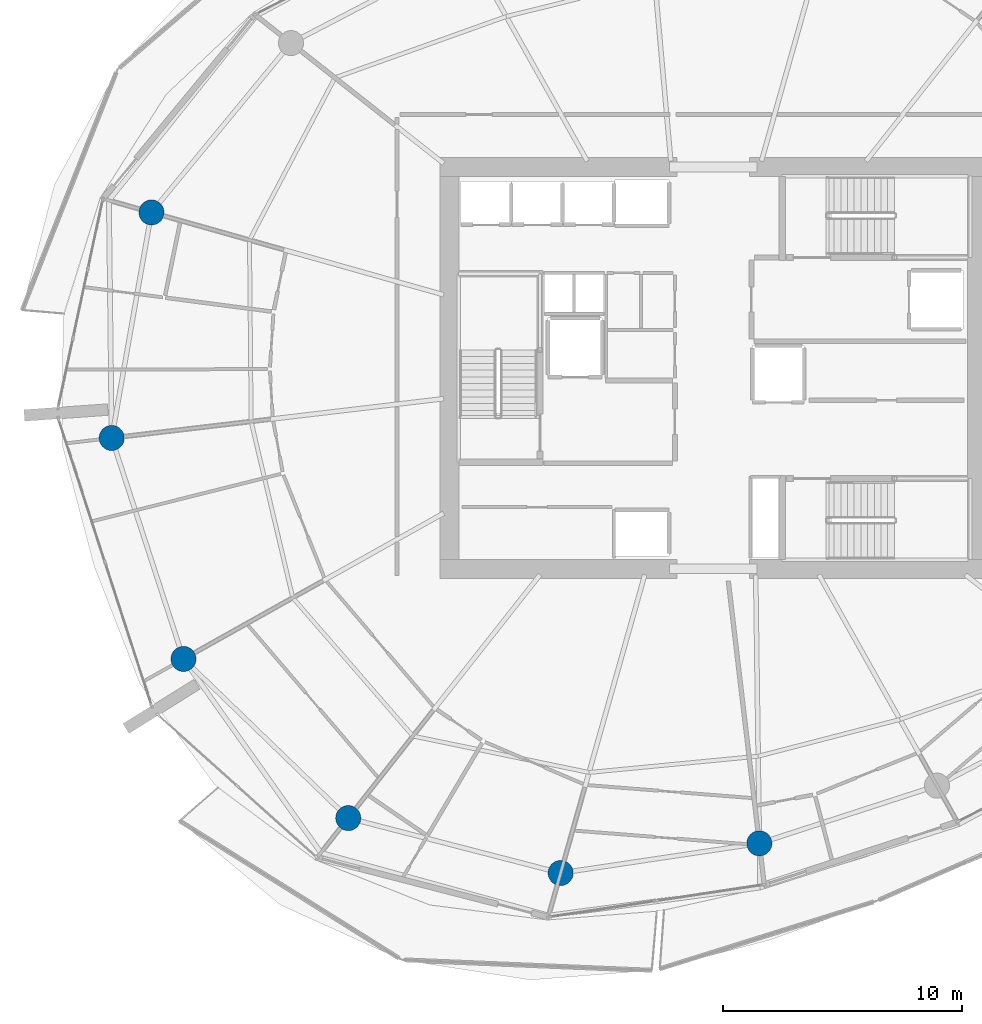
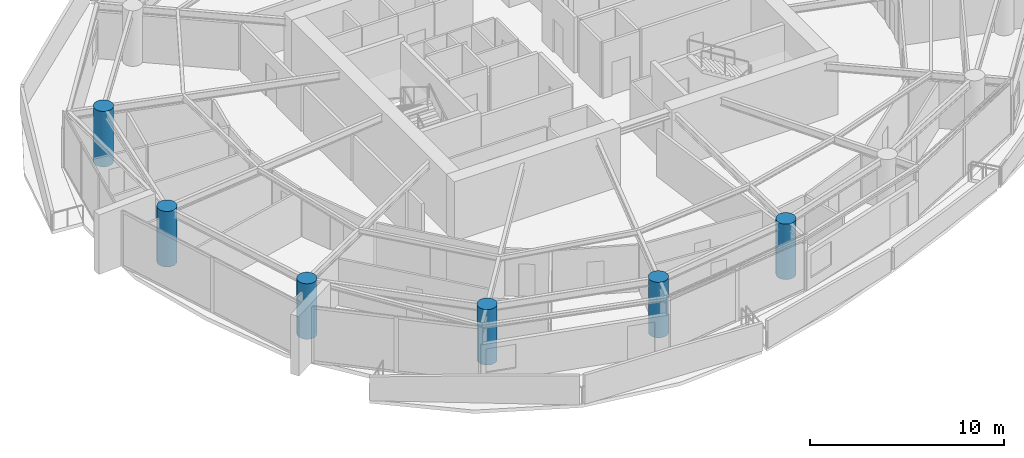
# One storey, part 1 of 20: 6 columns.
"""IFC4 building model written with IfcOpenShell, lengths in metres."""

from ifc_helpers import new_model, si_unit, direction, frame, origin, origin_2d, place, context, subcontext, project, spatial, circle, extrude, material, material_profile, profile_set, type_object, element, save


model = new_model("IFC4")

# Units and contexts
model_context = context("Model", 3, precision=1e-05, world=origin(), true_north=direction((0.0, 1.0)))
body_context = subcontext(model_context, "Body", "Model", "MODEL_VIEW")
ifc_project = project(units=[si_unit("LENGTHUNIT", "METRE"), si_unit("AREAUNIT", "SQUARE_METRE"), si_unit("VOLUMEUNIT", "CUBIC_METRE"), si_unit("PLANEANGLEUNIT", "RADIAN"), si_unit("MASSUNIT", "GRAM", prefix="KILO")], contexts=[model_context])

# Site, building, storey
site_placement = place(None, origin())
site = spatial("IfcSite", under=ifc_project, at=site_placement, CompositionType="ELEMENT")
building_placement = place(site_placement, origin())
building = spatial("IfcBuilding", under=site, at=building_placement, Name="Kazma Halo Residences", CompositionType="ELEMENT")
storey_placement = place(building_placement, frame((0.0, 0.0, 146.550048828125)))
storey = spatial("IfcBuildingStorey", under=building, at=storey_placement, Name="L36", CompositionType="ELEMENT", Elevation=146.550048828125)

# Columns
ifc_material = material(Name="Concrete C80/95", Category="concrete")
ifc_material_profile = material_profile(ifc_material, circle(Radius=0.52490234375, at=origin_2d()), Name="CIRC1050")
ifc_profile_set = profile_set([ifc_material_profile], Name="Concrete C80/95")
column_type = type_object("IfcColumnType", Name="COL-PERIM-1050", PredefinedType="COLUMN", material=ifc_profile_set)
for number, where, z_axis, x_axis, name in (
    (1, (24.93017578125, 48.50634765625, 0.0), (0.0, 0.0, 1.0), (1.0, 0.0, 0.0), "L36 perimeter ring column P07"),
    (2, (23.266845703125, 39.072509765625, 0.0), (0.0, 0.0, 1.0), (1.0, 0.0, 0.0), "L36 perimeter ring column P08"),
    (3, (26.269775390625, 29.83056640625, 0.0), (0.0, 0.0, 1.0), (1.0, 0.0, 0.0), "L36 perimeter ring column P09"),
    (4, (33.160400390625, 23.17626953125, 0.0), (0.0, 0.0, 1.0), (1.0, 0.0, 0.0), "L36 perimeter ring column P10"),
    (5, (42.04296875, 20.878173828125, 0.0), (0.0, 0.0, 1.0), (1.0, 0.0, 0.0), "L36 perimeter ring column P11"),
    (6, (50.35302734375, 22.118896484375, 0.0), (0.0, 0.0, 1.0), (1.0, 0.0, 0.0), "L36 perimeter ring column P12"),
):
    element("IfcColumn", number, at=place(storey_placement, frame(where, z_axis=z_axis, x_axis=x_axis)), inside=storey, type_object=column_type, Name=name, PredefinedType="COLUMN", context=body_context, shape_type="SweptSolid", body=[
        extrude(circle(Radius=0.52490234375, at=origin_2d()), origin(), (0.0, 0.0, 1.0), 3.5),
    ])

save(model, "model.ifc")
